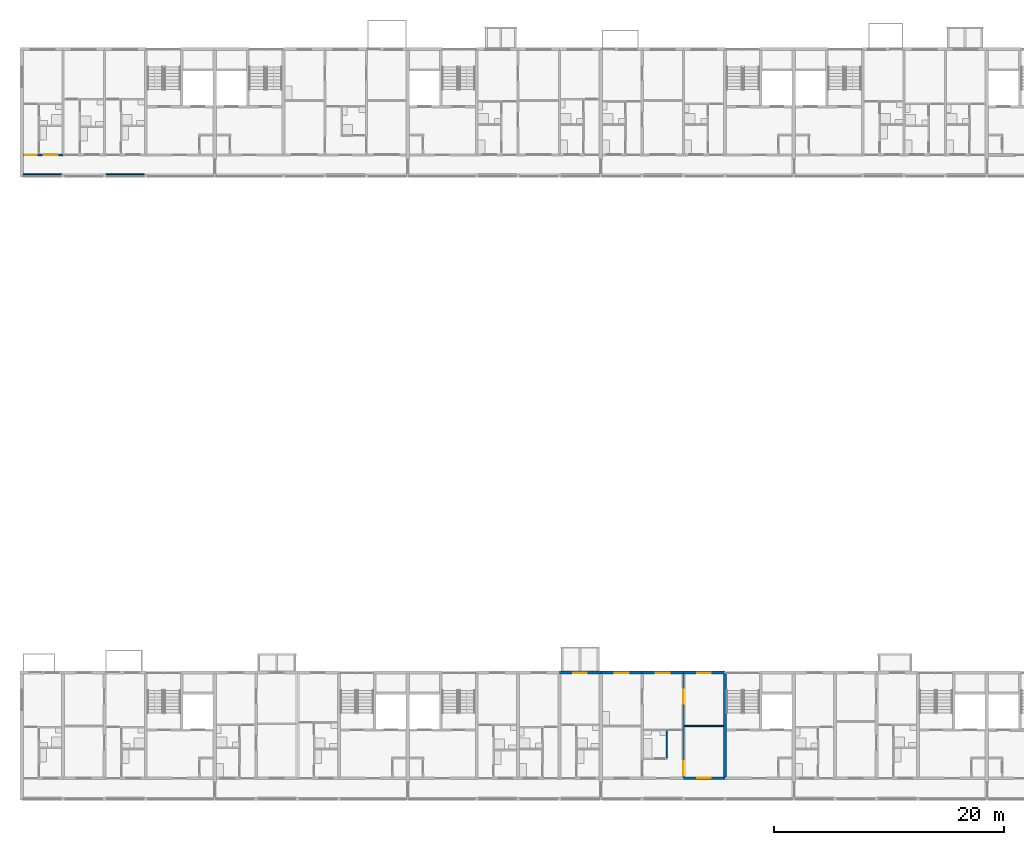
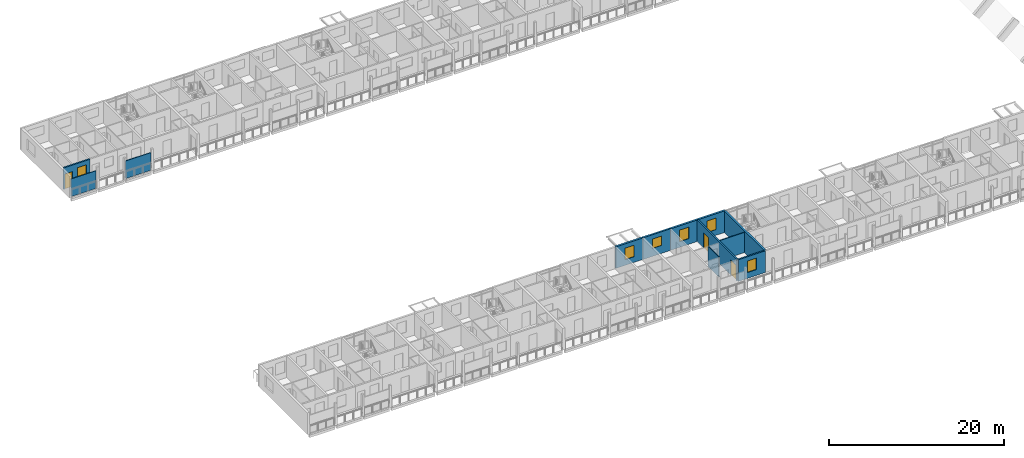
# One storey, part 34 of 98: 12 walls, 6 windows, 3 doors, 9 openings.
"""IFC4 building model written with IfcOpenShell, lengths in metres."""

from ifc_helpers import new_model, si_unit, direction, frame, frame_2d, origin, place, context, subcontext, project, spatial, rectangle, extrude, material, layer, layer_set, type_object, element, fill, save


model = new_model("IFC4")

# Units and contexts
model_context = context("Model", 3, precision=1e-05, world=origin(), true_north=direction((0.0, 1.0)))
body_context = subcontext(model_context, "Body", "Model", "MODEL_VIEW")
ifc_project = project(units=[si_unit("LENGTHUNIT", "METRE"), si_unit("AREAUNIT", "SQUARE_METRE"), si_unit("VOLUMEUNIT", "CUBIC_METRE"), si_unit("PLANEANGLEUNIT", "RADIAN"), si_unit("MASSUNIT", "GRAM", prefix="KILO")], contexts=[model_context])

# Site, building, storey
site_placement = place(None, origin())
site = spatial("IfcSite", under=ifc_project, at=site_placement, CompositionType="ELEMENT")
building_placement = place(site_placement, origin())
building = spatial("IfcBuilding", under=site, at=building_placement, Name="Ridgestep Commons", CompositionType="ELEMENT")
storey_placement = place(building_placement, frame((0.0, 0.0, 12.0)))
storey = spatial("IfcBuildingStorey", under=building, at=storey_placement, Name="L04", CompositionType="ELEMENT", Elevation=12.0)

# Wall
ifc_material_1 = material(Name="Concrete C30/37", Category="concrete")
ifc_layer_1 = layer(ifc_material_1, 0.25)
ifc_layer_set_1 = layer_set([ifc_layer_1], Name="Core cross wall 250")
wall_type_1 = type_object("IfcWallType", Name="Core cross wall 250", PredefinedType="SHEAR", material=ifc_layer_set_1)
wall_1_placement = place(storey_placement, frame((73.199951171875, 13.75, 0.0), z_axis=(0.0, 0.0, 1.0), x_axis=(0.0, 1.0, 0.0)))
element("IfcWall", 1, at=wall_1_placement, inside=storey, type_object=wall_type_1, Name="Cross wall A-04-0732", PredefinedType="SHEAR", context=body_context, shape_type="SweptSolid", body=[
    extrude(rectangle(XDim=9.0, YDim=0.25, at=frame_2d((4.5, 0.0))), origin(), (0.0, 0.0, 1.0), 3.0),
])

# Wall, openings, doors
ifc_material_2 = material(Name="Precast concrete C40/50", Category="concrete")
ifc_layer_2 = layer(ifc_material_2, 0.199951171875)
ifc_layer_set_2 = layer_set([ifc_layer_2], Name="Cross wall 200")
wall_type_2 = type_object("IfcWallType", Name="Cross wall 200", PredefinedType="SHEAR", material=ifc_layer_set_2)
wall_2_placement = place(storey_placement, frame((69.60009765625, 13.75, 0.0), z_axis=(0.0, 0.0, 1.0), x_axis=(0.0, 1.0, 0.0)))
wall_2 = element("IfcWall", 2, at=wall_2_placement, inside=storey, type_object=wall_type_2, Name="Cross wall A-04-0696", PredefinedType="SHEAR", context=body_context, shape_type="SweptSolid", body=[
    extrude(rectangle(XDim=9.0, YDim=0.199951171875, at=frame_2d((4.5, 0.0))), origin(), (0.0, 0.0, 1.0), 3.0),
])
opening_1_placement = place(wall_2_placement, frame((0.175048828125, 0.0, 0.0)))
opening_1 = element("IfcOpeningElement", 3, at=opening_1_placement, cuts=wall_2, Name="Opening A4-04a/6", PredefinedType="OPENING", context=body_context, shape_type="SweptSolid", body=[
    extrude(rectangle(XDim=1.199951171875, YDim=2.10009765625, at=frame_2d((0.60009765625, 1.050048828125))), frame((0.0, 0.10986328125, 0.0), z_axis=(0.0, -1.0, 0.0), x_axis=(1.0, 0.0, 0.0)), (0.0, 0.0, 1.0), 0.219970703125),
])
opening_2_placement = place(wall_2_placement, frame((6.39990234375, 0.0, 0.0)))
opening_2 = element("IfcOpeningElement", 4, at=opening_2_placement, cuts=wall_2, Name="Opening A4-04a/7", PredefinedType="OPENING", context=body_context, shape_type="SweptSolid", body=[
    extrude(rectangle(XDim=1.199951171875, YDim=2.10009765625, at=frame_2d((0.60009765625, 1.050048828125))), frame((0.0, 0.10986328125, 0.0), z_axis=(0.0, -1.0, 0.0), x_axis=(1.0, 0.0, 0.0)), (0.0, 0.0, 1.0), 0.219970703125),
])
ifc_material_3 = material(Name="Timber door leaf", Category="wood")
door_type_1 = type_object("IfcDoorType", Name="Double door 1200 x 2100", OperationType="DOUBLE_DOOR_SINGLE_SWING", PredefinedType="DOOR", material=ifc_material_3)
door_1_placement = place(opening_1_placement, origin())
door_1 = element("IfcDoor", 5, at=door_1_placement, inside=storey, type_object=door_type_1, Name="Double door A4-04a/6", OperationType="DOUBLE_DOOR_SINGLE_SWING", OverallHeight=2.10009765625, OverallWidth=1.199951171875, PredefinedType="DOOR", context=body_context, shape_type="SweptSolid", body=[
    extrude(rectangle(XDim=1.199951171875, YDim=2.10009765625, at=frame_2d((0.60009765625, 1.050048828125))), frame((0.0, 0.02490234375, 0.0), z_axis=(0.0, -1.0, 0.0), x_axis=(1.0, 0.0, 0.0)), (0.0, 0.0, 1.0), 0.050048828125),
])
fill(opening_1, door_1)
door_2_placement = place(opening_2_placement, origin())
door_2 = element("IfcDoor", 6, at=door_2_placement, inside=storey, type_object=door_type_1, Name="Double door A4-04a/7", OperationType="DOUBLE_DOOR_SINGLE_SWING", OverallHeight=2.10009765625, OverallWidth=1.199951171875, PredefinedType="DOOR", context=body_context, shape_type="SweptSolid", body=[
    extrude(rectangle(XDim=1.199951171875, YDim=2.10009765625, at=frame_2d((0.60009765625, 1.050048828125))), frame((0.0, 0.02490234375, 0.0), z_axis=(0.0, -1.0, 0.0), x_axis=(1.0, 0.0, 0.0)), (0.0, 0.0, 1.0), 0.050048828125),
])
fill(opening_2, door_2)

# Wall, opening, window
ifc_material_4 = material(Name="Precast concrete C40/50", Category="concrete")
ifc_layer_3 = layer(ifc_material_4, 0.25)
ifc_layer_set_3 = layer_set([ifc_layer_3], Name="North facade panel 250")
wall_type_3 = type_object("IfcWallType", Name="North facade panel 250", PredefinedType="SOLIDWALL", material=ifc_layer_set_3)
wall_3_placement = place(storey_placement, frame((58.800048828125, 22.875, 0.0), z_axis=(0.0, 0.0, 1.0), x_axis=(1.0, 0.0, 0.0)))
wall_3 = element("IfcWall", 7, at=wall_3_placement, inside=storey, type_object=wall_type_3, Name="North panel A3T1 L04", PredefinedType="SOLIDWALL", context=body_context, shape_type="SweptSolid", body=[
    extrude(rectangle(XDim=3.599853515625, YDim=0.25, at=frame_2d((1.7998046875, 0.0))), origin(), (0.0, 0.0, 1.0), 3.0),
])
opening_3_placement = place(wall_3_placement, frame((1.1875, 0.0, 0.800048828125)))
opening_3 = element("IfcOpeningElement", 8, at=opening_3_placement, cuts=wall_3, Name="Opening W11", PredefinedType="OPENING", context=body_context, shape_type="SweptSolid", body=[
    extrude(rectangle(XDim=1.199951171875, YDim=1.60009765625, at=frame_2d((0.60009765625, 0.800048828125))), frame((0.0, 0.135009765625, 0.0), z_axis=(0.0, -1.0, 0.0), x_axis=(1.0, 0.0, 0.0)), (0.0, 0.0, 1.0), 0.27001953125),
])
ifc_material_5 = material(Name="Aluminium 6063-T6 and glass", Category="aluminium")
window_type_1 = type_object("IfcWindowType", Name="Flat window 1200 x 1600", PartitioningType="SINGLE_PANEL", PredefinedType="WINDOW", material=ifc_material_5)
window_1_placement = place(opening_3_placement, origin())
window_1 = element("IfcWindow", 9, at=window_1_placement, inside=storey, type_object=window_type_1, Name="Window A3-04a 2", OverallHeight=1.60009765625, OverallWidth=1.199951171875, PartitioningType="SINGLE_PANEL", PredefinedType="WINDOW", context=body_context, shape_type="SweptSolid", body=[
    extrude(rectangle(XDim=1.199951171875, YDim=1.60009765625, at=frame_2d((0.60009765625, 0.800048828125))), frame((0.0, -0.02490234375, 0.0), z_axis=(0.0, -1.0, 0.0), x_axis=(1.0, 0.0, 0.0)), (0.0, 0.0, 1.0), 0.06005859375),
])
fill(opening_3, window_1)

wall_4_placement = place(storey_placement, frame((62.39990234375, 22.875, 0.0), z_axis=(0.0, 0.0, 1.0), x_axis=(1.0, 0.0, 0.0)))
wall_4 = element("IfcWall", 10, at=wall_4_placement, inside=storey, type_object=wall_type_3, Name="North panel A4T1 L04", PredefinedType="SOLIDWALL", context=body_context, shape_type="SweptSolid", body=[
    extrude(rectangle(XDim=3.60009765625, YDim=0.25, at=frame_2d((1.800048828125, 0.0))), origin(), (0.0, 0.0, 1.0), 3.0),
])
opening_4_placement = place(wall_4_placement, frame((1.22509765625, 0.0, 1.10009765625)))
opening_4 = element("IfcOpeningElement", 11, at=opening_4_placement, cuts=wall_4, Name="Opening W08", PredefinedType="OPENING", context=body_context, shape_type="SweptSolid", body=[
    extrude(rectangle(XDim=1.199951171875, YDim=1.300048828125, at=frame_2d((0.60009765625, 0.64990234375))), frame((0.0, 0.135009765625, 0.0), z_axis=(0.0, -1.0, 0.0), x_axis=(1.0, 0.0, 0.0)), (0.0, 0.0, 1.0), 0.27001953125),
])
ifc_material_6 = material(Name="Aluminium 6063-T6 and glass", Category="aluminium")
window_type_2 = type_object("IfcWindowType", Name="Flat window 1200 x 1300", PartitioningType="SINGLE_PANEL", PredefinedType="WINDOW", material=ifc_material_6)
window_2_placement = place(opening_4_placement, origin())
window_2 = element("IfcWindow", 12, at=window_2_placement, inside=storey, type_object=window_type_2, Name="Window A4-04a 2", OverallHeight=1.300048828125, OverallWidth=1.199951171875, PartitioningType="SINGLE_PANEL", PredefinedType="WINDOW", context=body_context, shape_type="SweptSolid", body=[
    extrude(rectangle(XDim=1.199951171875, YDim=1.300048828125, at=frame_2d((0.60009765625, 0.64990234375))), frame((0.0, -0.02490234375, 0.0), z_axis=(0.0, -1.0, 0.0), x_axis=(1.0, 0.0, 0.0)), (0.0, 0.0, 1.0), 0.06005859375),
])
fill(opening_4, window_2)

wall_5_placement = place(storey_placement, frame((66.0, 22.875, 0.0), z_axis=(0.0, 0.0, 1.0), x_axis=(1.0, 0.0, 0.0)))
wall_5 = element("IfcWall", 13, at=wall_5_placement, inside=storey, type_object=wall_type_3, Name="North panel A4T2 L04", PredefinedType="SOLIDWALL", context=body_context, shape_type="SweptSolid", body=[
    extrude(rectangle(XDim=3.60009765625, YDim=0.25, at=frame_2d((1.800048828125, 0.0))), origin(), (0.0, 0.0, 1.0), 3.0),
])
opening_5_placement = place(wall_5_placement, frame((1.199951171875, 0.0, 0.800048828125)))
opening_5 = element("IfcOpeningElement", 14, at=opening_5_placement, cuts=wall_5, Name="Opening W11", PredefinedType="OPENING", context=body_context, shape_type="SweptSolid", body=[
    extrude(rectangle(XDim=1.199951171875, YDim=1.60009765625, at=frame_2d((0.60009765625, 0.800048828125))), frame((0.0, 0.135009765625, 0.0), z_axis=(0.0, -1.0, 0.0), x_axis=(1.0, 0.0, 0.0)), (0.0, 0.0, 1.0), 0.27001953125),
])
window_3_placement = place(opening_5_placement, origin())
window_3 = element("IfcWindow", 15, at=window_3_placement, inside=storey, type_object=window_type_1, Name="Window A4-04a 5", OverallHeight=1.60009765625, OverallWidth=1.199951171875, PartitioningType="SINGLE_PANEL", PredefinedType="WINDOW", context=body_context, shape_type="SweptSolid", body=[
    extrude(rectangle(XDim=1.199951171875, YDim=1.60009765625, at=frame_2d((0.60009765625, 0.800048828125))), frame((0.0, -0.02490234375, 0.0), z_axis=(0.0, -1.0, 0.0), x_axis=(1.0, 0.0, 0.0)), (0.0, 0.0, 1.0), 0.06005859375),
])
fill(opening_5, window_3)

wall_6_placement = place(storey_placement, frame((69.60009765625, 22.875, 0.0), z_axis=(0.0, 0.0, 1.0), x_axis=(1.0, 0.0, 0.0)))
wall_6 = element("IfcWall", 16, at=wall_6_placement, inside=storey, type_object=wall_type_3, Name="North panel A4T3 L04", PredefinedType="SOLIDWALL", context=body_context, shape_type="SweptSolid", body=[
    extrude(rectangle(XDim=3.599853515625, YDim=0.25, at=frame_2d((1.7998046875, 0.0))), origin(), (0.0, 0.0, 1.0), 3.0),
])
opening_6_placement = place(wall_6_placement, frame((1.1875, 0.0, 0.800048828125)))
opening_6 = element("IfcOpeningElement", 17, at=opening_6_placement, cuts=wall_6, Name="Opening W11", PredefinedType="OPENING", context=body_context, shape_type="SweptSolid", body=[
    extrude(rectangle(XDim=1.199951171875, YDim=1.60009765625, at=frame_2d((0.60009765625, 0.800048828125))), frame((0.0, 0.135009765625, 0.0), z_axis=(0.0, -1.0, 0.0), x_axis=(1.0, 0.0, 0.0)), (0.0, 0.0, 1.0), 0.27001953125),
])
window_4_placement = place(opening_6_placement, origin())
window_4 = element("IfcWindow", 18, at=window_4_placement, inside=storey, type_object=window_type_1, Name="Window A4-04a 4", OverallHeight=1.60009765625, OverallWidth=1.199951171875, PartitioningType="SINGLE_PANEL", PredefinedType="WINDOW", context=body_context, shape_type="SweptSolid", body=[
    extrude(rectangle(XDim=1.199951171875, YDim=1.60009765625, at=frame_2d((0.60009765625, 0.800048828125))), frame((0.0, -0.02490234375, 0.0), z_axis=(0.0, -1.0, 0.0), x_axis=(1.0, 0.0, 0.0)), (0.0, 0.0, 1.0), 0.06005859375),
])
fill(opening_6, window_4)

# Walls
ifc_material_7 = material(Name="Common brick 110 mm", Category="masonry")
ifc_layer_4 = layer(ifc_material_7, 0.110107421875)
ifc_layer_set_4 = layer_set([ifc_layer_4], Name="Partition 110")
wall_type_4 = type_object("IfcWallType", Name="Partition 110", PredefinedType="PARTITIONING", material=ifc_layer_set_4)
wall_7_placement = place(storey_placement, frame((68.14501953125, 15.409912109375, 0.0), z_axis=(0.0, 0.0, 1.0), x_axis=(0.0, 1.0, 0.0)))
element("IfcWall", 19, at=wall_7_placement, inside=storey, type_object=wall_type_4, Name="Partition A4-04a", PredefinedType="PARTITIONING", context=body_context, shape_type="SweptSolid", body=[
    extrude(rectangle(XDim=2.400146484375, YDim=0.110107421875, at=frame_2d((1.2001953125, 0.0))), origin(), (0.0, 0.0, 1.0), 2.800048828125),
])
wall_8_placement = place(storey_placement, frame((69.699951171875, 18.205078125, 0.0), z_axis=(0.0, 0.0, 1.0), x_axis=(1.0, 0.0, 0.0)))
element("IfcWall", 20, at=wall_8_placement, inside=storey, type_object=wall_type_4, Name="Partition A4-04a", PredefinedType="PARTITIONING", context=body_context, shape_type="SweptSolid", body=[
    extrude(rectangle(XDim=3.375, YDim=0.110107421875, at=frame_2d((1.6875, 0.0))), origin(), (0.0, 0.0, 1.0), 2.800048828125),
])
ifc_material_8 = material(Name="Precast concrete C30/37", Category="concrete")
ifc_layer_5 = layer(ifc_material_8, 0.10009765625)
ifc_layer_set_5 = layer_set([ifc_layer_5], Name="Perforated gallery screen 3325 x 2450 x 100")
wall_type_5 = type_object("IfcWallType", Name="Perforated gallery screen 3325 x 2450 x 100", PredefinedType="SOLIDWALL", material=ifc_layer_set_5)
wall_9_placement = place(storey_placement, frame((12.14990234375, 66.199951171875, 0.0), z_axis=(0.0, 0.0, 1.0), x_axis=(1.0, 0.0, 0.0)))
element("IfcWall", 21, at=wall_9_placement, inside=storey, type_object=wall_type_5, Name="Gallery screen B1T1 04", PredefinedType="SOLIDWALL", context=body_context, shape_type="SweptSolid", body=[
    extrude(rectangle(XDim=3.3251953125, YDim=0.10009765625, at=frame_2d((1.66259765625, 0.0))), origin(), (0.0, 0.0, 1.0), 2.449951171875),
])
ifc_material_9 = material(Name="Precast concrete C30/37", Category="concrete")
ifc_layer_6 = layer(ifc_material_9, 0.10009765625)
ifc_layer_set_6 = layer_set([ifc_layer_6], Name="Perforated gallery screen 3350 x 2450 x 100")
wall_type_6 = type_object("IfcWallType", Name="Perforated gallery screen 3350 x 2450 x 100", PredefinedType="SOLIDWALL", material=ifc_layer_set_6)
wall_10_placement = place(storey_placement, frame((19.324951171875, 66.199951171875, 0.0), z_axis=(0.0, 0.0, 1.0), x_axis=(1.0, 0.0, 0.0)))
element("IfcWall", 22, at=wall_10_placement, inside=storey, type_object=wall_type_6, Name="Gallery screen B1T3 04", PredefinedType="SOLIDWALL", context=body_context, shape_type="SweptSolid", body=[
    extrude(rectangle(XDim=3.35009765625, YDim=0.10009765625, at=frame_2d((1.675048828125, 0.0))), origin(), (0.0, 0.0, 1.0), 2.449951171875),
])

# Wall, opening, window
ifc_material_10 = material(Name="Precast concrete C40/50", Category="concrete")
ifc_layer_7 = layer(ifc_material_10, 0.199951171875)
ifc_layer_set_7 = layer_set([ifc_layer_7], Name="South facade panel 200")
wall_type_7 = type_object("IfcWallType", Name="South facade panel 200", PredefinedType="SOLIDWALL", material=ifc_layer_set_7)
wall_11_placement = place(storey_placement, frame((69.60009765625, 13.64990234375, 0.0), z_axis=(0.0, 0.0, 1.0), x_axis=(1.0, 0.0, 0.0)))
wall_11 = element("IfcWall", 23, at=wall_11_placement, inside=storey, type_object=wall_type_7, Name="South panel A4T3 L04", PredefinedType="SOLIDWALL", context=body_context, shape_type="SweptSolid", body=[
    extrude(rectangle(XDim=3.599853515625, YDim=0.199951171875, at=frame_2d((1.7998046875, 0.0))), origin(), (0.0, 0.0, 1.0), 3.0),
])
opening_7_placement = place(wall_11_placement, frame((1.1875, 0.0, 0.800048828125)))
opening_7 = element("IfcOpeningElement", 24, at=opening_7_placement, cuts=wall_11, Name="Opening W11", PredefinedType="OPENING", context=body_context, shape_type="SweptSolid", body=[
    extrude(rectangle(XDim=1.199951171875, YDim=1.60009765625, at=frame_2d((0.60009765625, 0.800048828125))), frame((0.0, 0.10986328125, 0.0), z_axis=(0.0, -1.0, 0.0), x_axis=(1.0, 0.0, 0.0)), (0.0, 0.0, 1.0), 0.219970703125),
])
window_5_placement = place(opening_7_placement, origin())
window_5 = element("IfcWindow", 25, at=window_5_placement, inside=storey, type_object=window_type_1, Name="Window A4-04a 3", OverallHeight=1.60009765625, OverallWidth=1.199951171875, PartitioningType="SINGLE_PANEL", PredefinedType="WINDOW", context=body_context, shape_type="SweptSolid", body=[
    extrude(rectangle(XDim=1.199951171875, YDim=1.60009765625, at=frame_2d((0.60009765625, 0.800048828125))), frame((0.0, 0.06005859375, 0.0), z_axis=(0.0, -1.0, 0.0), x_axis=(1.0, 0.0, 0.0)), (0.0, 0.0, 1.0), 0.06005859375),
])
fill(opening_7, window_5)

# Wall, openings, door, window
wall_12_placement = place(storey_placement, frame((12.14990234375, 67.89990234375, 0.0), z_axis=(0.0, 0.0, 1.0), x_axis=(1.0, 0.0, 0.0)))
wall_12 = element("IfcWall", 26, at=wall_12_placement, inside=storey, type_object=wall_type_7, Name="South panel B1T1 L04", PredefinedType="SOLIDWALL", context=body_context, shape_type="SweptSolid", body=[
    extrude(rectangle(XDim=3.4501953125, YDim=0.199951171875, at=frame_2d((1.72509765625, 0.0))), origin(), (0.0, 0.0, 1.0), 3.0),
])
opening_8_placement = place(wall_12_placement, frame((1.780029296875, 0.0, 1.10009765625)))
opening_8 = element("IfcOpeningElement", 27, at=opening_8_placement, cuts=wall_12, Name="Opening W08", PredefinedType="OPENING", context=body_context, shape_type="SweptSolid", body=[
    extrude(rectangle(XDim=1.199951171875, YDim=1.300048828125, at=frame_2d((0.60009765625, 0.64990234375))), frame((0.0, 0.10986328125, 0.0), z_axis=(0.0, -1.0, 0.0), x_axis=(1.0, 0.0, 0.0)), (0.0, 0.0, 1.0), 0.219970703125),
])
opening_9_placement = place(wall_12_placement, frame((0.14990234375, 0.0, 0.0)))
opening_9 = element("IfcOpeningElement", 28, at=opening_9_placement, cuts=wall_12, Name="Opening B1-04a/1", PredefinedType="OPENING", context=body_context, shape_type="SweptSolid", body=[
    extrude(rectangle(XDim=1.0, YDim=2.10009765625, at=frame_2d((0.5, 1.050048828125))), frame((0.0, 0.10986328125, 0.0), z_axis=(0.0, -1.0, 0.0), x_axis=(1.0, 0.0, 0.0)), (0.0, 0.0, 1.0), 0.219970703125),
])
ifc_material_11 = material(Name="Timber door leaf", Category="wood")
door_type_2 = type_object("IfcDoorType", Name="Flat entrance door 1000 x 2100 FD30S", OperationType="NOTDEFINED", PredefinedType="DOOR", material=ifc_material_11)
door_3_placement = place(opening_9_placement, origin())
door_3 = element("IfcDoor", 29, at=door_3_placement, inside=storey, type_object=door_type_2, Name="Flat entrance door B1-04a/1", OperationType="SINGLE_SWING_LEFT", OverallHeight=2.10009765625, OverallWidth=1.0, PredefinedType="DOOR", context=body_context, shape_type="SweptSolid", body=[
    extrude(rectangle(XDim=1.0, YDim=2.10009765625, at=frame_2d((0.5, 1.050048828125))), frame((0.0, 0.02490234375, 0.0), z_axis=(0.0, -1.0, 0.0), x_axis=(1.0, 0.0, 0.0)), (0.0, 0.0, 1.0), 0.050048828125),
])
fill(opening_9, door_3)
window_6_placement = place(opening_8_placement, origin())
window_6 = element("IfcWindow", 30, at=window_6_placement, inside=storey, type_object=window_type_2, Name="Window B1-04a 1", OverallHeight=1.300048828125, OverallWidth=1.199951171875, PartitioningType="SINGLE_PANEL", PredefinedType="WINDOW", context=body_context, shape_type="SweptSolid", body=[
    extrude(rectangle(XDim=1.199951171875, YDim=1.300048828125, at=frame_2d((0.60009765625, 0.64990234375))), frame((0.0, 0.06005859375, 0.0), z_axis=(0.0, -1.0, 0.0), x_axis=(1.0, 0.0, 0.0)), (0.0, 0.0, 1.0), 0.06005859375),
])
fill(opening_8, window_6)

save(model, "model.ifc")
